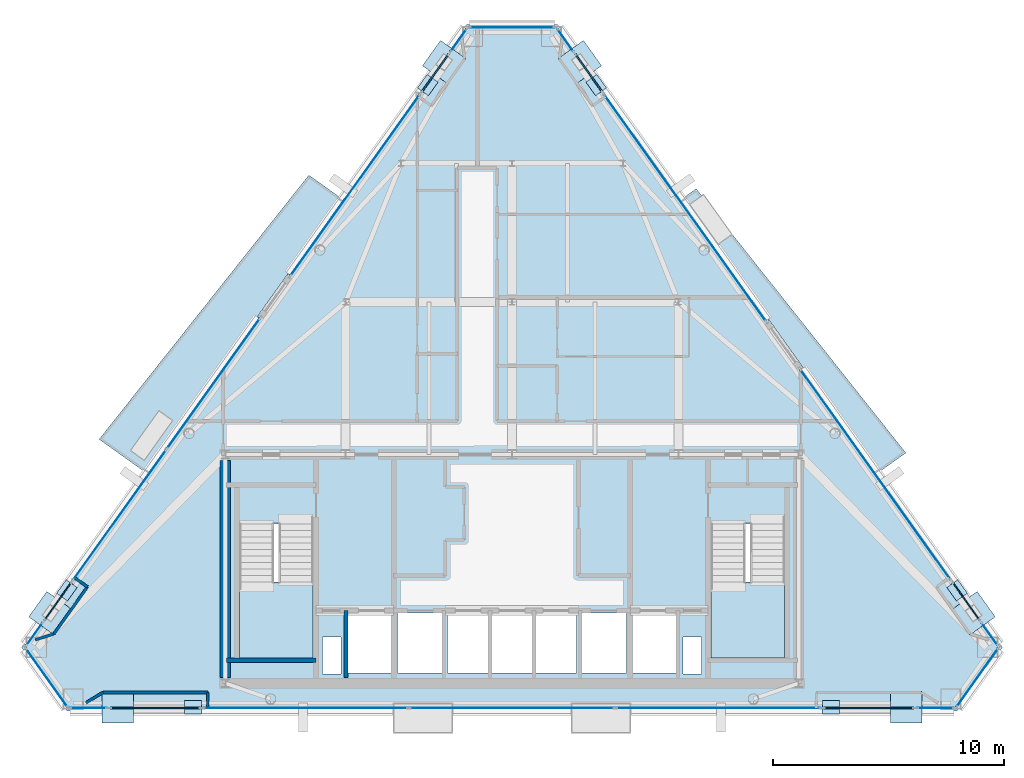
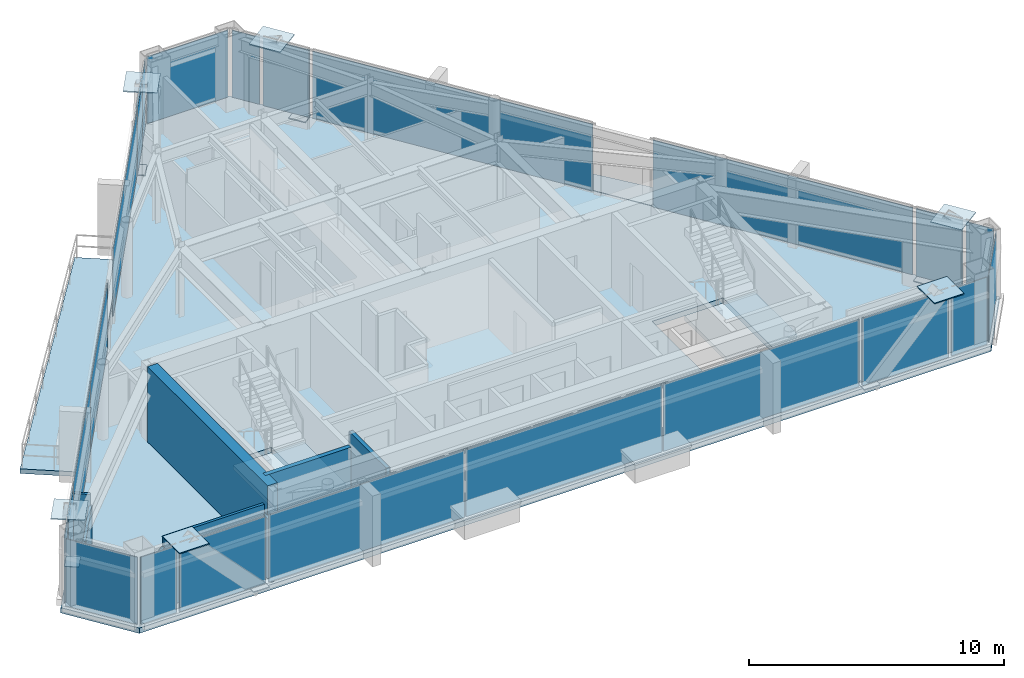
# One storey, part 7 of 12: 35 plates, 9 walls, 5 slabs, 22 elements without a shape of their own.
"""IFC4 building model written with IfcOpenShell, lengths in metres."""

from ifc_helpers import new_model, si_unit, direction, frame, frame_2d, origin, origin_2d, place, context, subcontext, project, spatial, polyline, rectangle, outline, extrude, source, transform, mapped, material, layer, layer_set, type_object, type_shapes, element, aggregate, save


model = new_model("IFC4")

# Units and contexts
model_context = context("Model", 3, precision=1e-05, world=origin(), true_north=direction((0.0, 1.0)))
body_context = subcontext(model_context, "Body", "Model", "MODEL_VIEW")
ifc_project = project(units=[si_unit("LENGTHUNIT", "METRE"), si_unit("AREAUNIT", "SQUARE_METRE"), si_unit("VOLUMEUNIT", "CUBIC_METRE"), si_unit("PLANEANGLEUNIT", "RADIAN"), si_unit("MASSUNIT", "GRAM", prefix="KILO")], contexts=[model_context])

# Site, building, storey
site_placement = place(None, origin())
site = spatial("IfcSite", under=ifc_project, at=site_placement, CompositionType="ELEMENT")
building_placement = place(site_placement, origin())
building = spatial("IfcBuilding", under=site, at=building_placement, Name="Talgorran Terracotta Tower", CompositionType="ELEMENT")
storey_placement = place(building_placement, frame((0.0, 0.0, 277.800048828125)))
storey = spatial("IfcBuildingStorey", under=building, at=storey_placement, Name="L73", CompositionType="ELEMENT", Elevation=277.800048828125)

# Plates
ifc_material_1 = material(Name="Steel Grade 350 (350L0)", Category="steel")
ifc_layer_1 = layer(ifc_material_1, 0.031982421875, Name="PL_CAP_MN07")
ifc_layer_set_1 = layer_set([ifc_layer_1], Name="Steel Grade 350 (350L0)")
plate_type_1 = type_object("IfcPlateType", Name="PL_CAP_MN07", PredefinedType="USERDEFINED", material=ifc_layer_set_1)
for number, where, z_axis, x_axis, name in (
    (1, (-13.802490234375, -15.134521484375, -0.005859375), (0.0, 0.0, 1.0), (-1.0, 0.0, 0.0), "L73 Diagonal Frame End Cap SWF Bot"),
    (2, (13.802490234375, -15.134521484375, -0.005859375), (0.0, 0.0, 1.0), (1.0, 0.0, 0.0), "L73 Diagonal Frame End Cap SEF Bot"),
    (3, (19.260498046875, -10.077880859375, -0.005859375), (0.0, 0.0, 1.0), (0.581271174002, -0.813709912852, 0.0), "L73 Diagonal Frame End Cap NEL Bot"),
    (4, (3.643798828125, 11.78466796875, -0.005859375), (0.0, 0.0, 1.0), (-0.581271174002, 0.813709912852, 0.0), "L73 Diagonal Frame End Cap NEU Bot"),
    (5, (-3.643798828125, 11.78466796875, -0.005859375), (0.0, 0.0, 1.0), (0.581271174002, 0.813709912852, 0.0), "L73 Diagonal Frame End Cap NWU Bot"),
    (6, (-19.260498046875, -10.077880859375, -0.005859375), (0.0, 0.0, 1.0), (-0.581271174002, -0.813709912852, 0.0), "L73 Diagonal Frame End Cap NWL Bot"),
):
    element("IfcPlate", number, at=place(storey_placement, frame(where, z_axis=z_axis, x_axis=x_axis)), inside=storey, type_object=plate_type_1, Name=name, ObjectType="CAP PLATE", PredefinedType="USERDEFINED", context=body_context, shape_type="SweptSolid", body=[
        extrude(rectangle(XDim=0.719970703125, YDim=0.580078125, at=origin_2d()), origin(), (0.0, 0.0, 1.0), 0.031982421875),
    ])
ifc_layer_2 = layer(ifc_material_1, 0.050048828125, Name="PL_NODE_MN03")
ifc_layer_set_2 = layer_set([ifc_layer_2], Name="Steel Grade 350 (350L0)")
plate_type_2 = type_object("IfcPlateType", Name="PL_NODE_MN03", PredefinedType="USERDEFINED", material=ifc_layer_set_2)
for number, where, z_axis, x_axis, name in (
    (7, (-17.061279296875, -15.134521484375, 3.31005859375), (0.0, 0.0, 1.0), (-1.0, 0.0, 0.0), "L73 Diagonal Frame End Cap SWF Top"),
    (8, (17.061279296875, -15.134521484375, 3.31005859375), (0.0, 0.0, 1.0), (1.0, 0.0, 0.0), "L73 Diagonal Frame End Cap SEF Top"),
    (9, (19.968505859375, -11.069091796875, 3.31005859375), (0.0, 0.0, 1.0), (0.581271174002, -0.813709912852, 0.0), "L73 Diagonal Frame End Cap NEL Top"),
    (10, (2.935791015625, 12.77587890625, 3.31005859375), (0.0, 0.0, 1.0), (-0.581271174002, 0.813709912852, 0.0), "L73 Diagonal Frame End Cap NEU Top"),
    (11, (-2.935791015625, 12.77587890625, 3.31005859375), (0.0, 0.0, 1.0), (0.581271174002, 0.813709912852, 0.0), "L73 Diagonal Frame End Cap NWU Top"),
    (12, (-19.968505859375, -11.069091796875, 3.31005859375), (0.0, 0.0, 1.0), (-0.581271174002, -0.813709912852, 0.0), "L73 Diagonal Frame End Cap NWL Top"),
):
    element("IfcPlate", number, at=place(storey_placement, frame(where, z_axis=z_axis, x_axis=x_axis)), inside=storey, type_object=plate_type_2, Name=name, ObjectType="NODE PLATE", PredefinedType="USERDEFINED", context=body_context, shape_type="SweptSolid", body=[
        extrude(rectangle(XDim=1.35009765625, YDim=1.35009765625, at=origin_2d()), origin(), (0.0, 0.0, 1.0), 0.050048828125),
    ])

# Slabs
ifc_material_2 = material(Name="Concrete C40/50", Category="concrete")
ifc_layer_3 = layer(ifc_material_2, 0.219970703125, Name="SL_BALCONY_220")
ifc_layer_set_3 = layer_set([ifc_layer_3], Name="Concrete C40/50")
slab_type_1 = type_object("IfcSlabType", Name="SL_BALCONY_220", PredefinedType="FLOOR", material=ifc_layer_set_3)
slab_1_placement = place(storey_placement, frame((0.0, 0.0, -0.219970703125)))
element("IfcSlab", 13, at=slab_1_placement, inside=storey, type_object=slab_type_1, Name="L73 Outdoor Wave Balcony BAL-NE", PredefinedType="FLOOR", context=body_context, shape_type="SweptSolid", body=[
    extrude(outline(polyline([(7.368408203125, 6.87158203125), (15.83935546875, -4.9873046875), (17.0390625, -4.130615234375), (7.96533203125, 7.298095703125), (7.368408203125, 6.87158203125)])), origin(), (0.0, 0.0, 1.0), 0.219970703125),
])
slab_2_placement = place(storey_placement, frame((0.0, 0.0, -0.219970703125)))
element("IfcSlab", 14, at=slab_2_placement, inside=storey, type_object=slab_type_1, Name="L73 Outdoor Wave Balcony BAL-NW", PredefinedType="FLOOR", context=body_context, shape_type="SweptSolid", body=[
    extrude(outline(polyline([(-15.83935546875, -4.9873046875), (-7.368408203125, 6.87158203125), (-8.788818359375, 7.88623046875), (-17.862548828125, -3.542236328125), (-15.83935546875, -4.9873046875)])), origin(), (0.0, 0.0, 1.0), 0.219970703125),
])

# Stair, slab
stair_type = type_object("IfcStairType", Name="ST_FIRE_SCISSOR", PredefinedType="HALF_TURN_STAIR", material=ifc_material_2)
stair_1_placement = place(storey_placement, origin())
stair_1 = element("IfcStair", 15, at=stair_1_placement, inside=storey, type_object=stair_type, Name="L73 West Protected Fire Stair ST-01", PredefinedType="HALF_TURN_STAIR")
ifc_layer_4 = layer(ifc_material_2, 0.199951171875, Name="SL_LANDING_200")
ifc_layer_set_4 = layer_set([ifc_layer_4], Name="Concrete C40/50")
slab_type_2 = type_object("IfcSlabType", Name="SL_LANDING_200", PredefinedType="LANDING", material=ifc_layer_set_4)
slab_3_placement = place(storey_placement, frame((0.0, 0.0, 1.599853515625)))
slab_3 = element("IfcSlab", 16, at=slab_3_placement, type_object=slab_type_2, Name="ST-01 landing 1", PredefinedType="LANDING", context=body_context, shape_type="SweptSolid", body=[
    extrude(outline(polyline([(-11.800048828125, -9.719970703125), (-11.800048828125, -13.0), (-8.60009765625, -13.0), (-8.60009765625, -9.719970703125), (-11.800048828125, -9.719970703125)])), origin(), (0.0, 0.0, 1.0), 0.2001953125),
])
aggregate(stair_1, [slab_3])

stair_2_placement = place(storey_placement, origin())
stair_2 = element("IfcStair", 17, at=stair_2_placement, inside=storey, type_object=stair_type, Name="L73 East Protected Fire Stair ST-02", PredefinedType="HALF_TURN_STAIR")
slab_4_placement = place(storey_placement, frame((0.0, 0.0, 1.599853515625)))
slab_4 = element("IfcSlab", 18, at=slab_4_placement, type_object=slab_type_2, Name="ST-02 landing 1", PredefinedType="LANDING", context=body_context, shape_type="SweptSolid", body=[
    extrude(outline(polyline([(8.60009765625, -9.719970703125), (8.60009765625, -13.0), (11.800048828125, -13.0), (11.800048828125, -9.719970703125), (8.60009765625, -9.719970703125)])), origin(), (0.0, 0.0, 1.0), 0.2001953125),
])
aggregate(stair_2, [slab_4])

# Slab
ifc_layer_5 = layer(ifc_material_2, 0.2548828125, Name="SL_TOWER_235")
ifc_layer_set_5 = layer_set([ifc_layer_5], Name="Concrete C40/50")
slab_type_3 = type_object("IfcSlabType", Name="SL_TOWER_235", PredefinedType="FLOOR", material=ifc_layer_set_5)
slab_5_placement = place(storey_placement, frame((0.0, 0.0, -0.255126953125)))
element("IfcSlab", 19, at=slab_5_placement, inside=storey, type_object=slab_type_3, Name="Storey L73 Structural Floor Slab", PredefinedType="FLOOR", context=body_context, shape_type="SweptSolid", body=[
    extrude(outline(polyline([(-21.2177734375, -12.542724609375), (-19.252197265625, -15.29443359375), (19.252197265625, -15.29443359375), (21.2177734375, -12.542724609375), (1.965576171875, 14.409423828125), (-1.965576171875, 14.409423828125), (-21.2177734375, -12.542724609375)]), holes=[polyline([(-11.800048828125, -7.199951171875), (-11.800048828125, -13.0), (-8.60009765625, -13.0), (-8.60009765625, -7.199951171875), (-11.800048828125, -7.199951171875)]), polyline([(8.60009765625, -7.199951171875), (8.60009765625, -13.0), (11.800048828125, -13.0), (11.800048828125, -7.199951171875), (8.60009765625, -7.199951171875)]), polyline([(-7.10009765625, -13.64990234375), (-5.199951171875, -13.64990234375), (-5.199951171875, -11.050048828125), (-7.10009765625, -11.050048828125), (-7.10009765625, -13.64990234375)]), polyline([(5.199951171875, -13.64990234375), (7.10009765625, -13.64990234375), (7.10009765625, -11.050048828125), (5.199951171875, -11.050048828125), (5.199951171875, -13.64990234375)]), polyline([(3.0, -13.64990234375), (4.949951171875, -13.64990234375), (4.949951171875, -11.050048828125), (3.0, -11.050048828125), (3.0, -13.64990234375)]), polyline([(-4.949951171875, -13.64990234375), (-3.0, -13.64990234375), (-3.0, -11.050048828125), (-4.949951171875, -11.050048828125), (-4.949951171875, -13.64990234375)]), polyline([(-2.800048828125, -13.64990234375), (-1.0, -13.64990234375), (-1.0, -11.050048828125), (-2.800048828125, -11.050048828125), (-2.800048828125, -13.64990234375)]), polyline([(-0.89990234375, -13.64990234375), (0.89990234375, -13.64990234375), (0.89990234375, -11.050048828125), (-0.89990234375, -11.050048828125), (-0.89990234375, -13.64990234375)]), polyline([(1.0, -13.64990234375), (2.800048828125, -13.64990234375), (2.800048828125, -11.050048828125), (1.0, -11.050048828125), (1.0, -13.64990234375)]), polyline([(-8.199951171875, -13.699951171875), (-7.39990234375, -13.699951171875), (-7.39990234375, -12.10009765625), (-8.199951171875, -12.10009765625), (-8.199951171875, -13.699951171875)]), polyline([(7.39990234375, -13.699951171875), (8.199951171875, -13.699951171875), (8.199951171875, -12.10009765625), (7.39990234375, -12.10009765625), (7.39990234375, -13.699951171875)])]), origin(), (0.0, 0.0, 1.0), 0.255126953125),
])

# Curtain wall, plate
ifc_material_3 = material(Name="High-Wind Unitised Glazing", Category="glass")
ifc_layer_6 = layer(ifc_material_3, 0.2099609375, Name="CW_SYS3_RES_HIGH")
ifc_layer_set_6 = layer_set([ifc_layer_6], Name="High-Wind Unitised Glazing")
curtain_wall_type = type_object("IfcCurtainWallType", Name="CW_SYS3_RES_HIGH", PredefinedType="NOTDEFINED", material=ifc_layer_set_6)
curtain_wall_1_placement = place(storey_placement, origin())
curtain_wall_1 = element("IfcCurtainWall", 20, at=curtain_wall_1_placement, inside=storey, type_object=curtain_wall_type, Name="CW-L73-F0", PredefinedType="NOTDEFINED")
ifc_material_4 = material(Name="High-Wind Acoustic Vision Glass", Category="glass")
ifc_layer_7 = layer(ifc_material_4, 0.031982421875, Name="PLT_VISION_32")
ifc_layer_set_7 = layer_set([ifc_layer_7], Name="High-Wind Acoustic Vision Glass")
plate_type_3 = type_object("IfcPlateType", Name="PLT_VISION_32", PredefinedType="CURTAIN_PANEL", material=ifc_layer_set_7)
shared_shape_1 = source(origin(), body_context, "Body", "SweptSolid", [
    extrude(rectangle(XDim=3.093994140625, YDim=0.031982421875, at=origin_2d()), origin(), (0.0, 0.0, 1.0), 3.205078125),
])
plate_1_placement = place(storey_placement, frame((-20.13037109375, -13.858642578125, 0.06982421875), z_axis=(0.0, 0.0, 1.0), x_axis=(0.58125574343, -0.813720935413, 0.0)))
plate_1 = element("IfcPlate", 21, at=plate_1_placement, type_object=plate_type_3, Name="CW-L73-0 panel 1.1", PredefinedType="CURTAIN_PANEL", context=body_context, shape_type="MappedRepresentation", body=[
    mapped(shared_shape_1, transform((0.0, 0.0, 0.0), scale=1.0)),
])
aggregate(curtain_wall_1, [plate_1])

curtain_wall_2_placement = place(storey_placement, origin())
curtain_wall_2 = element("IfcCurtainWall", 22, at=curtain_wall_2_placement, inside=storey, type_object=curtain_wall_type, Name="CW-L73-F2", PredefinedType="NOTDEFINED")
plate_2_placement = place(storey_placement, frame((20.13037109375, -13.858642578125, 0.06982421875), z_axis=(0.0, 0.0, 1.0), x_axis=(0.58125574343, 0.813720935413, 0.0)))
plate_2 = element("IfcPlate", 23, at=plate_2_placement, type_object=plate_type_3, Name="CW-L73-2 panel 1.1", PredefinedType="CURTAIN_PANEL", context=body_context, shape_type="MappedRepresentation", body=[
    mapped(shared_shape_1, transform((0.0, 0.0, 0.0), scale=1.0)),
])
aggregate(curtain_wall_2, [plate_2])

curtain_wall_3_placement = place(storey_placement, origin())
curtain_wall_3 = element("IfcCurtainWall", 24, at=curtain_wall_3_placement, inside=storey, type_object=curtain_wall_type, Name="CW-L73-F1", PredefinedType="NOTDEFINED")
shared_shape_2 = source(origin(), body_context, "Body", "SweptSolid", [
    extrude(rectangle(XDim=1.59619140625, YDim=0.031982421875, at=origin_2d()), origin(), (0.0, 0.0, 1.0), 3.205078125),
])
plate_3_placement = place(storey_placement, frame((-18.322509765625, -15.17431640625, 0.06982421875), z_axis=(0.0, 0.0, 1.0), x_axis=(1.0, 0.0, 0.0)))
plate_3 = element("IfcPlate", 25, at=plate_3_placement, type_object=plate_type_3, Name="CW-L73-1 panel 1.1", PredefinedType="CURTAIN_PANEL", context=body_context, shape_type="MappedRepresentation", body=[
    mapped(shared_shape_2, transform((0.0, 0.0, 0.0), scale=1.0)),
])
aggregate(curtain_wall_3, [plate_3])

curtain_wall_4_placement = place(storey_placement, origin())
curtain_wall_4 = element("IfcCurtainWall", 26, at=curtain_wall_4_placement, inside=storey, type_object=curtain_wall_type, Name="CW-L73-F1E", PredefinedType="NOTDEFINED")
plate_4_placement = place(storey_placement, frame((18.322509765625, -15.17431640625, 0.06982421875), z_axis=(0.0, 0.0, 1.0), x_axis=(1.0, 0.0, 0.0)))
plate_4 = element("IfcPlate", 27, at=plate_4_placement, type_object=plate_type_3, Name="CW-L73-1E panel 1.1", PredefinedType="CURTAIN_PANEL", context=body_context, shape_type="MappedRepresentation", body=[
    mapped(shared_shape_2, transform((0.0, 0.0, 0.0), scale=1.0)),
])
aggregate(curtain_wall_4, [plate_4])

curtain_wall_5_placement = place(storey_placement, origin())
curtain_wall_5 = element("IfcCurtainWall", 28, at=curtain_wall_5_placement, inside=storey, type_object=curtain_wall_type, Name="CW-L73-F1B", PredefinedType="NOTDEFINED")
ifc_material_5 = material(Name="Terracotta Insulated Spandrel", Category="masonry")
ifc_layer_8 = layer(ifc_material_5, 0.06494140625, Name="PLT_SPANDREL_TERRA")
ifc_layer_set_8 = layer_set([ifc_layer_8], Name="Terracotta Insulated Spandrel")
plate_type_4 = type_object("IfcPlateType", Name="PLT_SPANDREL_TERRA", PredefinedType="SHEET", material=ifc_layer_set_8)
shared_shape_3 = source(origin(), body_context, "Body", "SweptSolid", [
    extrude(rectangle(XDim=3.885009765625, YDim=0.06494140625, at=origin_2d()), origin(), (0.0, 0.0, 1.0), 3.205078125),
])
plate_5_placement = place(storey_placement, frame((-15.431884765625, -15.17431640625, 0.06982421875), z_axis=(0.0, 0.0, 1.0), x_axis=(1.0, 0.0, 0.0)))
plate_5 = element("IfcPlate", 29, at=plate_5_placement, type_object=plate_type_4, Name="CW-L73-1B panel 1.1", PredefinedType="CURTAIN_PANEL", context=body_context, shape_type="MappedRepresentation", body=[
    mapped(shared_shape_3, transform((0.0, 0.0, 0.0), scale=1.0)),
])
aggregate(curtain_wall_5, [plate_5])

curtain_wall_6_placement = place(storey_placement, origin())
curtain_wall_6 = element("IfcCurtainWall", 30, at=curtain_wall_6_placement, inside=storey, type_object=curtain_wall_type, Name="CW-L73-F1D", PredefinedType="NOTDEFINED")
plate_6_placement = place(storey_placement, frame((15.431884765625, -15.17431640625, 0.06982421875), z_axis=(0.0, 0.0, 1.0), x_axis=(1.0, 0.0, 0.0)))
plate_6 = element("IfcPlate", 31, at=plate_6_placement, type_object=plate_type_4, Name="CW-L73-1D panel 1.1", PredefinedType="CURTAIN_PANEL", context=body_context, shape_type="MappedRepresentation", body=[
    mapped(shared_shape_3, transform((0.0, 0.0, 0.0), scale=1.0)),
])
aggregate(curtain_wall_6, [plate_6])

# Curtain wall, plates
curtain_wall_7_placement = place(storey_placement, origin())
curtain_wall_7 = element("IfcCurtainWall", 32, at=curtain_wall_7_placement, inside=storey, type_object=curtain_wall_type, Name="CW-L73-F1C", PredefinedType="NOTDEFINED")
shared_shape_4 = source(origin(), body_context, "Body", "SweptSolid", [
    extrude(rectangle(XDim=8.83447265625, YDim=0.031982421875, at=origin_2d()), origin(), (0.0, 0.0, 1.0), 3.205078125),
])
plate_7_placement = place(storey_placement, frame((-8.922119140625, -15.17431640625, 0.06982421875), z_axis=(0.0, 0.0, 1.0), x_axis=(1.0, 0.0, 0.0)))
plate_7 = element("IfcPlate", 33, at=plate_7_placement, type_object=plate_type_3, Name="CW-L73-1C panel 1.1", PredefinedType="CURTAIN_PANEL", context=body_context, shape_type="MappedRepresentation", body=[
    mapped(shared_shape_4, transform((0.0, 0.0, 0.0), scale=1.0)),
])
plate_8_placement = place(storey_placement, frame((8.922119140625, -15.17431640625, 0.06982421875), z_axis=(0.0, 0.0, 1.0), x_axis=(1.0, 0.0, 0.0)))
plate_8 = element("IfcPlate", 34, at=plate_8_placement, type_object=plate_type_3, Name="CW-L73-1C panel 3.1", PredefinedType="CURTAIN_PANEL", context=body_context, shape_type="MappedRepresentation", body=[
    mapped(shared_shape_4, transform((0.0, 0.0, 0.0), scale=1.0)),
])
shared_shape_5 = source(origin(), body_context, "Body", "SweptSolid", [
    extrude(rectangle(XDim=8.86962890625, YDim=0.031982421875, at=origin_2d()), origin(), (0.0, 0.0, 1.0), 3.205078125),
])
plate_9_placement = place(storey_placement, frame((0.0, -15.17431640625, 0.06982421875), z_axis=(0.0, 0.0, 1.0), x_axis=(1.0, 0.0, 0.0)))
plate_9 = element("IfcPlate", 35, at=plate_9_placement, type_object=plate_type_3, Name="CW-L73-1C panel 2.1", PredefinedType="CURTAIN_PANEL", context=body_context, shape_type="MappedRepresentation", body=[
    mapped(shared_shape_5, transform((0.0, 0.0, 0.0), scale=1.0)),
])
aggregate(curtain_wall_7, [plate_7, plate_9, plate_8])

# Curtain wall, plate
curtain_wall_8_placement = place(storey_placement, origin())
curtain_wall_8 = element("IfcCurtainWall", 36, at=curtain_wall_8_placement, inside=storey, type_object=curtain_wall_type, Name="CW-L73-F40", PredefinedType="NOTDEFINED")
shared_shape_6 = source(origin(), body_context, "Body", "SweptSolid", [
    extrude(rectangle(XDim=1.19384765625, YDim=0.031982421875, at=origin_2d()), origin(), (0.0, 0.0, 1.0), 3.205078125),
])
plate_10_placement = place(storey_placement, frame((20.659423828125, -11.967529296875, 0.06982421875), z_axis=(0.0, 0.0, 1.0), x_axis=(-0.581245285488, 0.813728405611, 0.0)))
plate_10 = element("IfcPlate", 37, at=plate_10_placement, type_object=plate_type_3, Name="CW-L73-40 panel 1.1", PredefinedType="CURTAIN_PANEL", context=body_context, shape_type="MappedRepresentation", body=[
    mapped(shared_shape_6, transform((0.0, 0.0, 0.0), scale=1.0)),
])
aggregate(curtain_wall_8, [plate_10])

curtain_wall_9_placement = place(storey_placement, origin())
curtain_wall_9 = element("IfcCurtainWall", 38, at=curtain_wall_9_placement, inside=storey, type_object=curtain_wall_type, Name="CW-L73-F61C", PredefinedType="NOTDEFINED")
plate_11_placement = place(storey_placement, frame((-20.659423828125, -11.967529296875, 0.06982421875), z_axis=(0.0, 0.0, 1.0), x_axis=(-0.581245285488, -0.813728405611, 0.0)))
plate_11 = element("IfcPlate", 39, at=plate_11_placement, type_object=plate_type_3, Name="CW-L73-61C panel 1.1", PredefinedType="CURTAIN_PANEL", context=body_context, shape_type="MappedRepresentation", body=[
    mapped(shared_shape_6, transform((0.0, 0.0, 0.0), scale=1.0)),
])
aggregate(curtain_wall_9, [plate_11])

curtain_wall_10_placement = place(storey_placement, origin())
curtain_wall_10 = element("IfcCurtainWall", 40, at=curtain_wall_10_placement, inside=storey, type_object=curtain_wall_type, Name="CW-L73-F40B", PredefinedType="NOTDEFINED")
shared_shape_7 = source(origin(), body_context, "Body", "SweptSolid", [
    extrude(rectangle(XDim=1.989501953125, YDim=0.06494140625, at=origin_2d()), origin(), (0.0, 0.0, 1.0), 3.205078125),
])
type_shapes(plate_type_4, [shared_shape_3, shared_shape_7])
plate_12_placement = place(storey_placement, frame((19.64697265625, -10.55029296875, 0.06982421875), z_axis=(0.0, 0.0, 1.0), x_axis=(-0.581264846108, 0.813714433127, 0.0)))
plate_12 = element("IfcPlate", 41, at=plate_12_placement, type_object=plate_type_4, Name="CW-L73-40B panel 1.1", PredefinedType="CURTAIN_PANEL", context=body_context, shape_type="MappedRepresentation", body=[
    mapped(shared_shape_7, transform((0.0, 0.0, 0.0), scale=1.0)),
])
aggregate(curtain_wall_10, [plate_12])

curtain_wall_11_placement = place(storey_placement, origin())
curtain_wall_11 = element("IfcCurtainWall", 42, at=curtain_wall_11_placement, inside=storey, type_object=curtain_wall_type, Name="CW-L73-F41B", PredefinedType="NOTDEFINED")
plate_13_placement = place(storey_placement, frame((3.322509765625, 12.303466796875, 0.06982421875), z_axis=(0.0, 0.0, 1.0), x_axis=(-0.581264846108, 0.813714433127, 0.0)))
plate_13 = element("IfcPlate", 43, at=plate_13_placement, type_object=plate_type_4, Name="CW-L73-41B panel 1.1", PredefinedType="CURTAIN_PANEL", context=body_context, shape_type="MappedRepresentation", body=[
    mapped(shared_shape_7, transform((0.0, 0.0, 0.0), scale=1.0)),
])
aggregate(curtain_wall_11, [plate_13])

curtain_wall_12_placement = place(storey_placement, origin())
curtain_wall_12 = element("IfcCurtainWall", 44, at=curtain_wall_12_placement, inside=storey, type_object=curtain_wall_type, Name="CW-L73-F60B", PredefinedType="NOTDEFINED")
plate_14_placement = place(storey_placement, frame((-3.322509765625, 12.303466796875, 0.06982421875), z_axis=(0.0, 0.0, 1.0), x_axis=(-0.581264846108, -0.813714433127, 0.0)))
plate_14 = element("IfcPlate", 45, at=plate_14_placement, type_object=plate_type_4, Name="CW-L73-60B panel 1.1", PredefinedType="CURTAIN_PANEL", context=body_context, shape_type="MappedRepresentation", body=[
    mapped(shared_shape_7, transform((0.0, 0.0, 0.0), scale=1.0)),
])
aggregate(curtain_wall_12, [plate_14])

curtain_wall_13_placement = place(storey_placement, origin())
curtain_wall_13 = element("IfcCurtainWall", 46, at=curtain_wall_13_placement, inside=storey, type_object=curtain_wall_type, Name="CW-L73-F61B", PredefinedType="NOTDEFINED")
plate_15_placement = place(storey_placement, frame((-19.64697265625, -10.55029296875, 0.06982421875), z_axis=(0.0, 0.0, 1.0), x_axis=(-0.581264846108, -0.813714433127, 0.0)))
plate_15 = element("IfcPlate", 47, at=plate_15_placement, type_object=plate_type_4, Name="CW-L73-61B panel 1.1", PredefinedType="CURTAIN_PANEL", context=body_context, shape_type="MappedRepresentation", body=[
    mapped(shared_shape_7, transform((0.0, 0.0, 0.0), scale=1.0)),
])
aggregate(curtain_wall_13, [plate_15])

curtain_wall_14_placement = place(storey_placement, origin())
curtain_wall_14 = element("IfcCurtainWall", 48, at=curtain_wall_14_placement, inside=storey, type_object=curtain_wall_type, Name="CW-L73-F40C", PredefinedType="NOTDEFINED")
shared_shape_8 = source(origin(), body_context, "Body", "SweptSolid", [
    extrude(rectangle(XDim=11.162109375, YDim=0.031982421875, at=origin_2d()), origin(), (0.0, 0.0, 1.0), 3.205078125),
])
plate_16_placement = place(storey_placement, frame((15.737548828125, -5.077392578125, 0.06982421875), z_axis=(0.0, 0.0, 1.0), x_axis=(-0.5812490741, 0.813725699397, 0.0)))
plate_16 = element("IfcPlate", 49, at=plate_16_placement, type_object=plate_type_3, Name="CW-L73-40C panel 1.1", PredefinedType="CURTAIN_PANEL", context=body_context, shape_type="MappedRepresentation", body=[
    mapped(shared_shape_8, transform((0.0, 0.0, 0.0), scale=1.0)),
])
aggregate(curtain_wall_14, [plate_16])

curtain_wall_15_placement = place(storey_placement, origin())
curtain_wall_15 = element("IfcCurtainWall", 50, at=curtain_wall_15_placement, inside=storey, type_object=curtain_wall_type, Name="CW-L73-F41", PredefinedType="NOTDEFINED")
shared_shape_9 = source(origin(), body_context, "Body", "SweptSolid", [
    extrude(rectangle(XDim=12.03369140625, YDim=0.031982421875, at=origin_2d()), origin(), (0.0, 0.0, 1.0), 3.205078125),
])
plate_17_placement = place(storey_placement, frame((7.485107421875, 6.475830078125, 0.06982421875), z_axis=(0.0, 0.0, 1.0), x_axis=(-0.581244410019, 0.813729030957, 0.0)))
plate_17 = element("IfcPlate", 51, at=plate_17_placement, type_object=plate_type_3, Name="CW-L73-41 panel 1.1", PredefinedType="CURTAIN_PANEL", context=body_context, shape_type="MappedRepresentation", body=[
    mapped(shared_shape_9, transform((0.0, 0.0, 0.0), scale=1.0)),
])
aggregate(curtain_wall_15, [plate_17])

curtain_wall_16_placement = place(storey_placement, origin())
curtain_wall_16 = element("IfcCurtainWall", 52, at=curtain_wall_16_placement, inside=storey, type_object=curtain_wall_type, Name="CW-L73-F41C", PredefinedType="NOTDEFINED")
shared_shape_10 = source(origin(), body_context, "Body", "SweptSolid", [
    extrude(rectangle(XDim=1.18603515625, YDim=0.031982421875, at=origin_2d()), origin(), (0.0, 0.0, 1.0), 3.205078125),
])
plate_18_placement = place(storey_placement, frame((2.312255859375, 13.717529296875, 0.06982421875), z_axis=(0.0, 0.0, 1.0), x_axis=(-0.581231059754, 0.813738566849, 0.0)))
plate_18 = element("IfcPlate", 53, at=plate_18_placement, type_object=plate_type_3, Name="CW-L73-41C panel 1.1", PredefinedType="CURTAIN_PANEL", context=body_context, shape_type="MappedRepresentation", body=[
    mapped(shared_shape_10, transform((0.0, 0.0, 0.0), scale=1.0)),
])
aggregate(curtain_wall_16, [plate_18])

curtain_wall_17_placement = place(storey_placement, origin())
curtain_wall_17 = element("IfcCurtainWall", 54, at=curtain_wall_17_placement, inside=storey, type_object=curtain_wall_type, Name="CW-L73-F60", PredefinedType="NOTDEFINED")
plate_19_placement = place(storey_placement, frame((-2.312255859375, 13.717529296875, 0.06982421875), z_axis=(0.0, 0.0, 1.0), x_axis=(-0.581231059754, -0.813738566849, 0.0)))
plate_19 = element("IfcPlate", 55, at=plate_19_placement, type_object=plate_type_3, Name="CW-L73-60 panel 1.1", PredefinedType="CURTAIN_PANEL", context=body_context, shape_type="MappedRepresentation", body=[
    mapped(shared_shape_10, transform((0.0, 0.0, 0.0), scale=1.0)),
])
aggregate(curtain_wall_17, [plate_19])

curtain_wall_18_placement = place(storey_placement, origin())
curtain_wall_18 = element("IfcCurtainWall", 56, at=curtain_wall_18_placement, inside=storey, type_object=curtain_wall_type, Name="CW-L73-F4", PredefinedType="NOTDEFINED")
shared_shape_11 = source(origin(), body_context, "Body", "SweptSolid", [
    extrude(rectangle(XDim=3.66748046875, YDim=0.031982421875, at=origin_2d()), origin(), (0.0, 0.0, 1.0), 3.205078125),
])
plate_20_placement = place(storey_placement, frame((0.0, 14.28955078125, 0.06982421875), z_axis=(0.0, 0.0, 1.0), x_axis=(-1.0, 0.0, 0.0)))
plate_20 = element("IfcPlate", 57, at=plate_20_placement, type_object=plate_type_3, Name="CW-L73-4 panel 1.1", PredefinedType="CURTAIN_PANEL", context=body_context, shape_type="MappedRepresentation", body=[
    mapped(shared_shape_11, transform((0.0, 0.0, 0.0), scale=1.0)),
])
aggregate(curtain_wall_18, [plate_20])

curtain_wall_19_placement = place(storey_placement, origin())
curtain_wall_19 = element("IfcCurtainWall", 58, at=curtain_wall_19_placement, inside=storey, type_object=curtain_wall_type, Name="CW-L73-F60C", PredefinedType="NOTDEFINED")
shared_shape_12 = source(origin(), body_context, "Body", "SweptSolid", [
    extrude(rectangle(XDim=9.61572265625, YDim=0.031982421875, at=origin_2d()), origin(), (0.0, 0.0, 1.0), 3.205078125),
])
plate_21_placement = place(storey_placement, frame((-6.7822265625, 7.459716796875, 0.06982421875), z_axis=(0.0, 0.0, 1.0), x_axis=(-0.581241102622, -0.813731393411, 0.0)))
plate_21 = element("IfcPlate", 59, at=plate_21_placement, type_object=plate_type_3, Name="CW-L73-60C panel 1.1", PredefinedType="CURTAIN_PANEL", context=body_context, shape_type="MappedRepresentation", body=[
    mapped(shared_shape_12, transform((0.0, 0.0, 0.0), scale=1.0)),
])
aggregate(curtain_wall_19, [plate_21])

# Curtain wall, plates
curtain_wall_20_placement = place(storey_placement, origin())
curtain_wall_20 = element("IfcCurtainWall", 60, at=curtain_wall_20_placement, inside=storey, type_object=curtain_wall_type, Name="CW-L73-F61", PredefinedType="NOTDEFINED")
shared_shape_13 = source(origin(), body_context, "Body", "SweptSolid", [
    extrude(rectangle(XDim=6.905029296875, YDim=0.031982421875, at=origin_2d()), origin(), (0.0, 0.0, 1.0), 3.205078125),
])
type_shapes(plate_type_3, [shared_shape_1, shared_shape_2, shared_shape_4, shared_shape_5, shared_shape_6, shared_shape_8, shared_shape_9, shared_shape_10, shared_shape_11, shared_shape_12, shared_shape_13])
plate_22_placement = place(storey_placement, frame((-12.920654296875, -1.133544921875, 0.06982421875), z_axis=(0.0, 0.0, 1.0), x_axis=(-0.581247639521, -0.813726724123, 0.0)))
plate_22 = element("IfcPlate", 61, at=plate_22_placement, type_object=plate_type_3, Name="CW-L73-61 panel 1.1", PredefinedType="CURTAIN_PANEL", context=body_context, shape_type="MappedRepresentation", body=[
    mapped(shared_shape_13, transform((0.0, 0.0, 0.0), scale=1.0)),
])
plate_23_placement = place(storey_placement, frame((-16.974853515625, -6.809326171875, 0.06982421875), z_axis=(0.0, 0.0, 1.0), x_axis=(-0.581247639521, -0.813726724123, 0.0)))
plate_23 = element("IfcPlate", 62, at=plate_23_placement, type_object=plate_type_3, Name="CW-L73-61 panel 2.1", PredefinedType="CURTAIN_PANEL", context=body_context, shape_type="MappedRepresentation", body=[
    mapped(shared_shape_13, transform((0.0, 0.0, 0.0), scale=1.0)),
])
aggregate(curtain_wall_20, [plate_22, plate_23])

# Walls
ifc_material_6 = material(Name="Concrete C50/60", Category="concrete")
ifc_layer_9 = layer(ifc_material_6, 0.199951171875, Name="WT_CORE_200")
ifc_layer_set_9 = layer_set([ifc_layer_9], Name="Concrete C50/60")
wall_type_1 = type_object("IfcWallType", Name="WT_CORE_200", PredefinedType="SOLIDWALL", material=ifc_layer_set_9)
wall_1_placement = place(storey_placement, frame((-12.35009765625, -13.10009765625, 0.0), z_axis=(0.0, 0.0, 1.0), x_axis=(1.0, 0.0, 0.0)))
element("IfcWall", 63, at=wall_1_placement, inside=storey, type_object=wall_type_1, Name="WL-L73-CW-ST1-S", PredefinedType="SOLIDWALL", context=body_context, shape_type="SweptSolid", body=[
    extrude(rectangle(XDim=3.8701171875, YDim=0.199951171875, at=frame_2d((1.93505859375, 0.0))), origin(), (0.0, 0.0, 1.0), 3.599853515625),
])
ifc_material_7 = material(Name="Concrete C65/80", Category="concrete")
ifc_layer_10 = layer(ifc_material_7, 0.449951171875, Name="WT_CORE_EXT")
ifc_layer_set_10 = layer_set([ifc_layer_10], Name="Concrete C65/80")
wall_type_2 = type_object("IfcWallType", Name="WT_CORE_EXT", PredefinedType="SHEAR", material=ifc_layer_set_10)
wall_2_placement = place(storey_placement, frame((-12.39990234375, -13.85009765625, 0.0), z_axis=(0.0, 0.0, 1.0), x_axis=(0.0, 1.0, 0.0)))
element("IfcWall", 64, at=wall_2_placement, inside=storey, type_object=wall_type_2, Name="WL-L73-CW-OUT-W", PredefinedType="SHEAR", context=body_context, shape_type="SweptSolid", body=[
    extrude(rectangle(XDim=9.400146484375, YDim=0.449951171875, at=frame_2d((4.7001953125, 0.0))), origin(), (0.0, 0.0, 1.0), 3.599853515625),
])
ifc_material_8 = material(Name="Insulated Steel Stud Plasterboard", Category="steel")
ifc_layer_11 = layer(ifc_material_8, 0.1201171875, Name="WT_PART_120")
ifc_layer_set_11 = layer_set([ifc_layer_11], Name="Insulated Steel Stud Plasterboard")
wall_type_3 = type_object("IfcWallType", Name="WT_PART_120", PredefinedType="PARTITIONING", material=ifc_layer_set_11)
wall_3_placement = place(storey_placement, frame((-17.701416015625, -14.494384765625, 0.0), z_axis=(0.0, 0.0, 1.0), x_axis=(1.0, 0.0, 0.0)))
element("IfcWall", 65, at=wall_3_placement, inside=storey, type_object=wall_type_3, Name="WL-L73-BW-L73-01", PredefinedType="PARTITIONING", context=body_context, shape_type="SweptSolid", body=[
    extrude(rectangle(XDim=4.5390625, YDim=0.1201171875, at=frame_2d((2.26953125, 0.0))), origin(), (0.0, 0.0, 1.0), 3.344970703125),
])
wall_4_placement = place(storey_placement, frame((-18.36767578125, -9.92919921875, 0.0), z_axis=(0.0, 0.0, 1.0), x_axis=(-0.581293660329, -0.813693849344, 0.0)))
element("IfcWall", 66, at=wall_4_placement, inside=storey, type_object=wall_type_3, Name="WL-L73-BW-L73-08", PredefinedType="PARTITIONING", context=body_context, shape_type="SweptSolid", body=[
    extrude(rectangle(XDim=2.498046875, YDim=0.1201171875, at=frame_2d((1.2490234375, 0.0))), origin(), (0.0, 0.0, 1.0), 2.320068359375),
])
wall_5_placement = place(storey_placement, frame((-18.431884765625, -14.94091796875, 0.0), z_axis=(0.0, 0.0, 1.0), x_axis=(0.853211335825, 0.521565352013, 0.0)))
element("IfcWall", 67, at=wall_5_placement, inside=storey, type_object=wall_type_3, Name="WL-L73-BW-L73-03", PredefinedType="PARTITIONING", context=body_context, shape_type="SweptSolid", body=[
    extrude(rectangle(XDim=0.856201171875, YDim=0.1201171875, at=frame_2d((0.42822265625, 0.0))), origin(), (0.0, 0.0, 1.0), 2.863037109375),
])
wall_6_placement = place(storey_placement, frame((-19.81982421875, -11.9619140625, 0.0), z_axis=(0.0, 0.0, 1.0), x_axis=(-0.952390933617, -0.304879500071, 0.0)))
element("IfcWall", 68, at=wall_6_placement, inside=storey, type_object=wall_type_3, Name="WL-L73-BW-L73-09", PredefinedType="PARTITIONING", context=body_context, shape_type="SweptSolid", body=[
    extrude(rectangle(XDim=0.853515625, YDim=0.1201171875, at=frame_2d((0.4267578125, 0.0))), origin(), (0.0, 0.0, 1.0), 2.320068359375),
])
for number, where, z_axis, x_axis, name in (
    (69, (-13.162353515625, -14.494384765625, 0.0), (0.0, 0.0, 1.0), (0.0, -1.0, 0.0), "WL-L73-BW-L73-02"),
    (70, (-18.912841796875, -9.539794921875, 0.0), (0.0, 0.0, 1.0), (0.813733471207, -0.581238193719, 0.0), "WL-L73-BW-L73-07"),
):
    element("IfcWall", number, at=place(storey_placement, frame(where, z_axis=z_axis, x_axis=x_axis)), inside=storey, type_object=wall_type_3, Name=name, PredefinedType="PARTITIONING", context=body_context, shape_type="SweptSolid", body=[
        extrude(rectangle(XDim=0.669921875, YDim=0.1201171875, at=frame_2d((0.3349609375, 0.0))), origin(), (0.0, 0.0, 1.0), 2.863037109375),
    ])
ifc_material_9 = material(Name="Fire-Rated Shaftwall")
ifc_layer_12 = layer(ifc_material_9, 0.159912109375, Name="WT_PART_150")
ifc_layer_set_12 = layer_set([ifc_layer_12], Name="Fire-Rated Shaftwall")
wall_type_4 = type_object("IfcWallType", Name="WT_PART_150", PredefinedType="PARTITIONING", material=ifc_layer_set_12)
wall_7_placement = place(storey_placement, frame((-7.179931640625, -13.85009765625, 0.0), z_axis=(0.0, 0.0, 1.0), x_axis=(0.0, 1.0, 0.0)))
element("IfcWall", 71, at=wall_7_placement, inside=storey, type_object=wall_type_4, Name="WL-L73-CW-RSW", PredefinedType="PARTITIONING", context=body_context, shape_type="SweptSolid", body=[
    extrude(rectangle(XDim=2.900146484375, YDim=0.159912109375, at=frame_2d((1.4501953125, 0.0))), origin(), (0.0, 0.0, 1.0), 2.570068359375),
])

save(model, "model.ifc")
